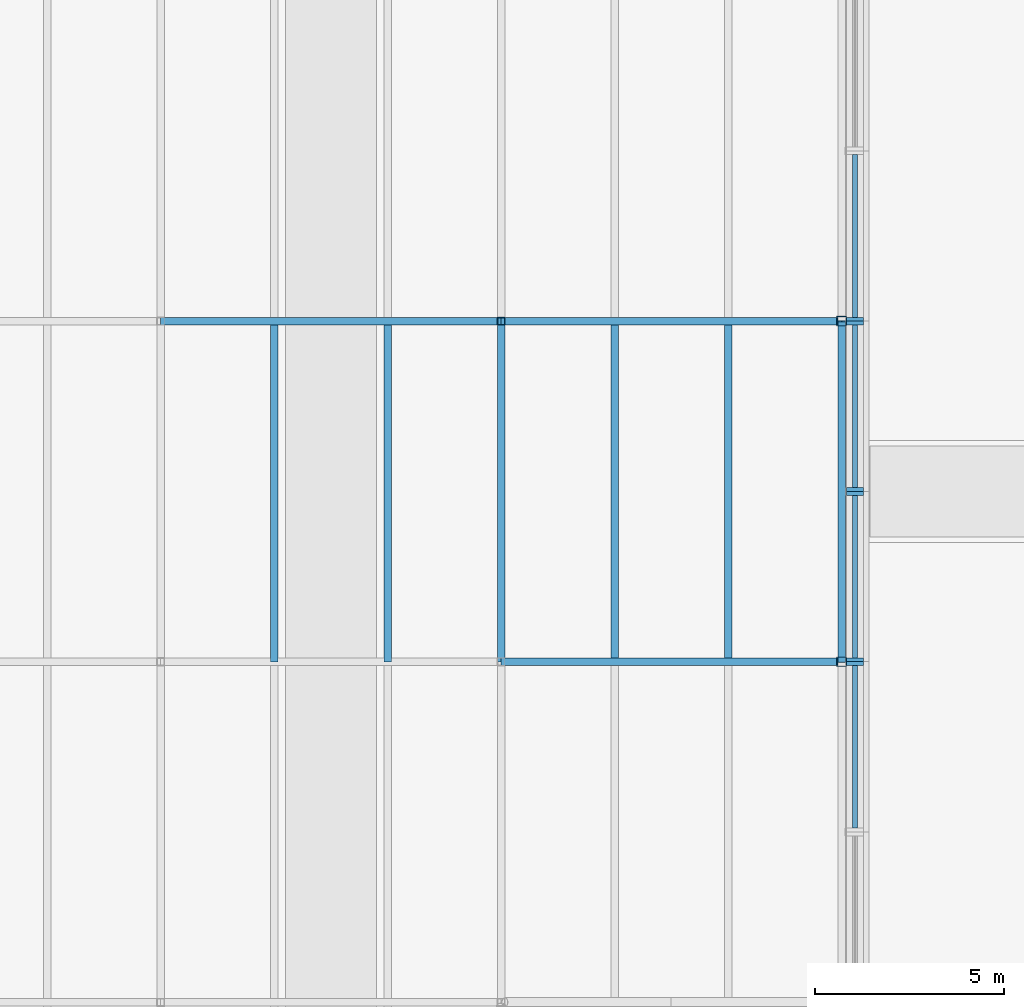
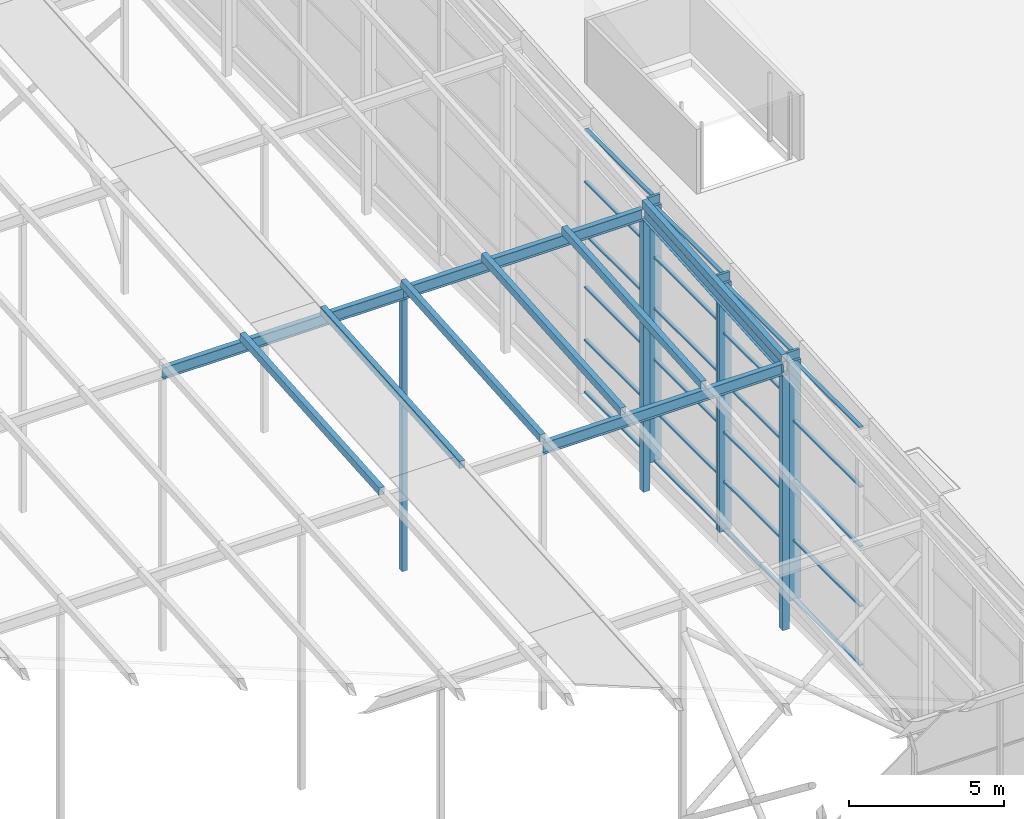
# One storey, part 22 of 84: 38 members, 4 beams, 4 elements without a shape of their own.
"""IFC4 building model written with IfcOpenShell, lengths in metres."""

from ifc_helpers import new_model, si_unit, direction, frame, origin, origin_2d, place, context, subcontext, project, spatial, rectangle, hollow_rectangle, i_section, extrude, material, material_profile, profile_set, type_object, element, aggregate, save


model = new_model("IFC4")

# Units and contexts
model_context = context("Model", 3, precision=1e-05, world=origin(), true_north=direction((0.0, 1.0)))
body_context = subcontext(model_context, "Body", "Model", "MODEL_VIEW")
ifc_project = project(units=[si_unit("LENGTHUNIT", "METRE"), si_unit("AREAUNIT", "SQUARE_METRE"), si_unit("VOLUMEUNIT", "CUBIC_METRE"), si_unit("PLANEANGLEUNIT", "RADIAN"), si_unit("MASSUNIT", "GRAM", prefix="KILO")], contexts=[model_context])

# Site, building, storey
site_placement = place(None, origin())
site = spatial("IfcSite", under=ifc_project, at=site_placement, CompositionType="ELEMENT")
building_placement = place(site_placement, origin())
building = spatial("IfcBuilding", under=site, at=building_placement, Name="Silverbay Arena", CompositionType="ELEMENT")
storey_placement = place(building_placement, frame((0.0, 0.0, 47.10009765625)))
storey = spatial("IfcBuildingStorey", under=building, at=storey_placement, Name="ROOF", CompositionType="ELEMENT", Elevation=47.10009765625)

# Curtain wall, member
ifc_material_1 = material(Name="Aluminium framed glazing", Category="aluminium")
curtain_wall_type_1 = type_object("IfcCurtainWallType", Name="Curtain wall crown 4500 x 9425", PredefinedType="NOTDEFINED", material=ifc_material_1)
curtain_wall_1_placement = place(storey_placement, origin())
curtain_wall_1 = element("IfcCurtainWall", 1, at=curtain_wall_1_placement, inside=storey, type_object=curtain_wall_type_1, Name="ROOF CROWN CURTAIN WALL east bay 05", PredefinedType="NOTDEFINED")
ifc_material_2 = material(Name="Aluminium", Category="aluminium")
ifc_material_profile_1 = material_profile(ifc_material_2, rectangle(XDim=0.449951171875, YDim=0.10009765625, at=origin_2d()), Name="Mullion 100 x 450")
ifc_profile_set_1 = profile_set([ifc_material_profile_1], Name="Aluminium")
member_type_1 = type_object("IfcMemberType", Name="Mullion 100 x 450", PredefinedType="MULLION", material=ifc_profile_set_1)
placement = place(building_placement, frame((0.0, 0.0, 33.5)))
member_1_placement = place(placement, frame((180.35009765625, 44.949951171875, 14.050048828125), z_axis=(0.0, 0.0, 1.0), x_axis=(-1.0, 0.0, 0.0)))
member_1 = element("IfcMember", 2, at=member_1_placement, type_object=member_type_1, Name="CW67 mullion 2", PredefinedType="MULLION", context=body_context, shape_type="SweptSolid", body=[
    extrude(rectangle(XDim=0.449951171875, YDim=0.10009765625, at=origin_2d()), origin(), (0.0, 0.0, 1.0), 9.425048828125),
])

# Curtain wall, members
ifc_material_3 = material(Name="Aluminium framed glazing", Category="aluminium")
curtain_wall_type_2 = type_object("IfcCurtainWallType", Name="Curtain wall crown 4500 x 9750", PredefinedType="NOTDEFINED", material=ifc_material_3)
curtain_wall_2_placement = place(storey_placement, origin())
curtain_wall_2 = element("IfcCurtainWall", 3, at=curtain_wall_2_placement, inside=storey, type_object=curtain_wall_type_2, Name="ROOF CROWN CURTAIN WALL east bay 06", PredefinedType="NOTDEFINED")
member_2_placement = place(placement, frame((180.35009765625, 45.050048828125, 14.050048828125), z_axis=(0.0, 0.0, 1.0), x_axis=(-1.0, 0.0, 0.0)))
member_2 = element("IfcMember", 4, at=member_2_placement, type_object=member_type_1, Name="CW68 mullion 1", PredefinedType="MULLION", context=body_context, shape_type="SweptSolid", body=[
    extrude(rectangle(XDim=0.449951171875, YDim=0.10009765625, at=origin_2d()), origin(), (0.0, 0.0, 1.0), 9.75),
])
member_3_placement = place(placement, frame((180.35009765625, 49.449951171875, 14.050048828125), z_axis=(0.0, 0.0, 1.0), x_axis=(-1.0, 0.0, 0.0)))
member_3 = element("IfcMember", 5, at=member_3_placement, type_object=member_type_1, Name="CW68 mullion 2", PredefinedType="MULLION", context=body_context, shape_type="SweptSolid", body=[
    extrude(rectangle(XDim=0.449951171875, YDim=0.10009765625, at=origin_2d()), origin(), (0.0, 0.0, 1.0), 9.75),
])

ifc_material_4 = material(Name="Aluminium framed glazing", Category="aluminium")
curtain_wall_type_3 = type_object("IfcCurtainWallType", Name="Curtain wall crown 4500 x 10075", PredefinedType="NOTDEFINED", material=ifc_material_4)
curtain_wall_3_placement = place(storey_placement, origin())
curtain_wall_3 = element("IfcCurtainWall", 6, at=curtain_wall_3_placement, inside=storey, type_object=curtain_wall_type_3, Name="ROOF CROWN CURTAIN WALL east bay 07", PredefinedType="NOTDEFINED")
member_4_placement = place(placement, frame((180.35009765625, 49.550048828125, 14.050048828125), z_axis=(0.0, 0.0, 1.0), x_axis=(-1.0, 0.0, 0.0)))
member_4 = element("IfcMember", 7, at=member_4_placement, type_object=member_type_1, Name="CW69 mullion 1", PredefinedType="MULLION", context=body_context, shape_type="SweptSolid", body=[
    extrude(rectangle(XDim=0.449951171875, YDim=0.10009765625, at=origin_2d()), origin(), (0.0, 0.0, 1.0), 10.074951171875),
])
member_5_placement = place(placement, frame((180.35009765625, 53.949951171875, 14.050048828125), z_axis=(0.0, 0.0, 1.0), x_axis=(-1.0, 0.0, 0.0)))
member_5 = element("IfcMember", 8, at=member_5_placement, type_object=member_type_1, Name="CW69 mullion 2", PredefinedType="MULLION", context=body_context, shape_type="SweptSolid", body=[
    extrude(rectangle(XDim=0.449951171875, YDim=0.10009765625, at=origin_2d()), origin(), (0.0, 0.0, 1.0), 10.074951171875),
])

# Curtain wall, member
ifc_material_5 = material(Name="Aluminium framed glazing", Category="aluminium")
curtain_wall_type_4 = type_object("IfcCurtainWallType", Name="Curtain wall crown 4500 x 10400", PredefinedType="NOTDEFINED", material=ifc_material_5)
curtain_wall_4_placement = place(storey_placement, origin())
curtain_wall_4 = element("IfcCurtainWall", 9, at=curtain_wall_4_placement, inside=storey, type_object=curtain_wall_type_4, Name="ROOF CROWN CURTAIN WALL east bay 08", PredefinedType="NOTDEFINED")
member_6_placement = place(placement, frame((180.35009765625, 54.050048828125, 14.050048828125), z_axis=(0.0, 0.0, 1.0), x_axis=(-1.0, 0.0, 0.0)))
member_6 = element("IfcMember", 10, at=member_6_placement, type_object=member_type_1, Name="CW70 mullion 1", PredefinedType="MULLION", context=body_context, shape_type="SweptSolid", body=[
    extrude(rectangle(XDim=0.449951171875, YDim=0.10009765625, at=origin_2d()), origin(), (0.0, 0.0, 1.0), 10.39990234375),
])

# Members
ifc_material_6 = material(Name="Steel S355", Category="steel")
ifc_material_profile_2 = material_profile(ifc_material_6, hollow_rectangle(XDim=0.199951171875, YDim=0.300048828125, WallThickness=0.00634765625, at=origin_2d()), Name="RHS 300x200x6.3")
ifc_profile_set_2 = profile_set([ifc_material_profile_2], Name="Steel S355")
member_type_2 = type_object("IfcMemberType", Name="Purlin RHS 300x200x6.3", PredefinedType="PURLIN", material=ifc_profile_set_2)
for number, where, z_axis, x_axis, name in (
    (11, (165.0, 45.0, 10.049560546875), (0.0, 0.997402911363, 0.072023832195), (-1.0, 0.0, 0.0), "ROOF PURLIN crown line 29 bay 03"),
    (12, (168.0, 45.0, 10.049560546875), (0.0, 0.997402911363, 0.072023832195), (-1.0, 0.0, 0.0), "ROOF PURLIN crown line 30 bay 03"),
    (13, (171.0, 45.0, 10.049560546875), (0.0, 0.997402911363, 0.072023832195), (-1.0, 0.0, 0.0), "ROOF PURLIN crown line 31 bay 03"),
    (14, (174.0, 45.0, 10.049560546875), (0.0, 0.997402911363, 0.072023832195), (-1.0, 0.0, 0.0), "ROOF PURLIN crown line 32 bay 03"),
    (15, (177.0, 45.0, 10.049560546875), (0.0, 0.997402911363, 0.072023832195), (-1.0, 0.0, 0.0), "ROOF PURLIN crown line 33 bay 03"),
):
    element("IfcMember", number, at=place(storey_placement, frame(where, z_axis=z_axis, x_axis=x_axis)), inside=storey, type_object=member_type_2, Name=name, PredefinedType="PURLIN", context=body_context, shape_type="SweptSolid", body=[
        extrude(hollow_rectangle(XDim=0.199951171875, YDim=0.300048828125, WallThickness=0.00634765625, at=origin_2d()), origin(), (0.0, 0.0, 1.0), 9.0234375),
    ])
ifc_material_7 = material(Name="Steel S355", Category="steel")
ifc_material_profile_3 = material_profile(ifc_material_7, hollow_rectangle(XDim=0.199951171875, YDim=0.300048828125, WallThickness=0.008056640625, at=origin_2d()), Name="RHS 300x200x8")
ifc_profile_set_3 = profile_set([ifc_material_profile_3], Name="Steel S355")
member_type_3 = type_object("IfcMemberType", Name="Purlin RHS 300x200x8", PredefinedType="PURLIN", material=ifc_profile_set_3)
member_7_placement = place(storey_placement, frame((180.0, 45.0, 10.049560546875), z_axis=(0.0, 0.997402911363, 0.072023832195), x_axis=(-1.0, 0.0, 0.0)))
element("IfcMember", 16, at=member_7_placement, inside=storey, type_object=member_type_3, Name="ROOF PURLIN crown line 34 bay 03", PredefinedType="PURLIN", context=body_context, shape_type="SweptSolid", body=[
    extrude(hollow_rectangle(XDim=0.199951171875, YDim=0.300048828125, WallThickness=0.008056640625, at=origin_2d()), origin(), (0.0, 0.0, 1.0), 9.0234375),
])

# Beams
ifc_material_8 = material(Name="Steel S355", Category="steel")
ifc_material_profile_4 = material_profile(ifc_material_8, i_section(OverallWidth=0.18994140625, OverallDepth=0.453369140625, WebThickness=0.008544921875, FlangeThickness=0.0126953125, at=origin_2d()), Name="UB 457x191x67")
ifc_profile_set_4 = profile_set([ifc_material_profile_4], Name="Steel S355")
beam_type = type_object("IfcBeamType", Name="Ring beam UB 457x191x67", PredefinedType="BEAM", material=ifc_profile_set_4)
beam_1_placement = place(storey_placement, frame((171.0, 45.0, 9.67236328125), z_axis=(1.0, 0.0, 0.0), x_axis=(0.0, 1.0, 0.0)))
element("IfcBeam", 17, at=beam_1_placement, inside=storey, type_object=beam_type, Name="RING BEAM crown row 03 20-21", PredefinedType="BEAM", context=body_context, shape_type="SweptSolid", body=[
    extrude(i_section(OverallWidth=0.18994140625, OverallDepth=0.453369140625, WebThickness=0.008544921875, FlangeThickness=0.0126953125, at=origin_2d()), origin(), (0.0, 0.0, 1.0), 8.905029296875),
])
beam_2_placement = place(storey_placement, frame((162.0, 54.0, 10.322509765625), z_axis=(1.0, 0.0, 0.0), x_axis=(0.0, 1.0, 0.0)))
element("IfcBeam", 18, at=beam_2_placement, inside=storey, type_object=beam_type, Name="RING BEAM crown row 04 19-20", PredefinedType="BEAM", context=body_context, shape_type="SweptSolid", body=[
    extrude(i_section(OverallWidth=0.18994140625, OverallDepth=0.453369140625, WebThickness=0.008544921875, FlangeThickness=0.0126953125, at=origin_2d()), origin(), (0.0, 0.0, 1.0), 9.0),
])
beam_3_placement = place(storey_placement, frame((171.0, 54.0, 10.322509765625), z_axis=(1.0, 0.0, 0.0), x_axis=(0.0, 1.0, 0.0)))
element("IfcBeam", 19, at=beam_3_placement, inside=storey, type_object=beam_type, Name="RING BEAM crown row 04 20-21", PredefinedType="BEAM", context=body_context, shape_type="SweptSolid", body=[
    extrude(i_section(OverallWidth=0.18994140625, OverallDepth=0.453369140625, WebThickness=0.008544921875, FlangeThickness=0.0126953125, at=origin_2d()), origin(), (0.0, 0.0, 1.0), 8.905029296875),
])
beam_4_placement = place(storey_placement, frame((180.0, 45.0, 9.67236328125), z_axis=(0.0, 0.997400967367, 0.07205074805), x_axis=(-1.0, 0.0, 0.0)))
element("IfcBeam", 20, at=beam_4_placement, inside=storey, type_object=beam_type, Name="RING BEAM crown east edge 03", PredefinedType="BEAM", context=body_context, shape_type="SweptSolid", body=[
    extrude(i_section(OverallWidth=0.18994140625, OverallDepth=0.453369140625, WebThickness=0.008544921875, FlangeThickness=0.0126953125, at=origin_2d()), origin(), (0.0, 0.0, 1.0), 9.0234375),
])

# Members
ifc_material_9 = material(Name="Steel S355", Category="steel")
ifc_material_profile_5 = material_profile(ifc_material_9, hollow_rectangle(XDim=0.199951171875, YDim=0.199951171875, WallThickness=0.008056640625, at=origin_2d()), Name="SHS 200x200x8")
ifc_profile_set_5 = profile_set([ifc_material_profile_5], Name="Steel S355")
member_type_4 = type_object("IfcMemberType", Name="Roof post SHS 200x200x8", PredefinedType="POST", material=ifc_profile_set_5)
member_8_placement = place(storey_placement, frame((171.0, 54.0, -0.60009765625), z_axis=(0.0, 0.0, 1.0), x_axis=(1.0, 0.0, 0.0)))
element("IfcMember", 21, at=member_8_placement, inside=storey, type_object=member_type_4, Name="ROOF CROWN POST 20 row 04", PredefinedType="POST", context=body_context, shape_type="SweptSolid", body=[
    extrude(hollow_rectangle(XDim=0.199951171875, YDim=0.199951171875, WallThickness=0.008056640625, at=origin_2d()), origin(), (0.0, 0.0, 1.0), 10.69580078125),
])
ifc_material_10 = material(Name="Steel S355", Category="steel")
ifc_material_profile_6 = material_profile(ifc_material_10, hollow_rectangle(XDim=0.25, YDim=0.25, WallThickness=0.008056640625, at=origin_2d()), Name="SHS 250x250x8")
ifc_profile_set_6 = profile_set([ifc_material_profile_6], Name="Steel S355")
member_type_5 = type_object("IfcMemberType", Name="Roof post SHS 250x250x8", PredefinedType="POST", material=ifc_profile_set_6)
member_9_placement = place(storey_placement, frame((180.0, 45.0, -0.60009765625), z_axis=(0.0, 0.0, 1.0), x_axis=(1.0, 0.0, 0.0)))
element("IfcMember", 22, at=member_9_placement, inside=storey, type_object=member_type_5, Name="ROOF CROWN POST 21 row 03", PredefinedType="POST", context=body_context, shape_type="SweptSolid", body=[
    extrude(hollow_rectangle(XDim=0.25, YDim=0.25, WallThickness=0.008056640625, at=origin_2d()), origin(), (0.0, 0.0, 1.0), 10.0458984375),
])
member_10_placement = place(storey_placement, frame((180.0, 54.0, -0.60009765625), z_axis=(0.0, 0.0, 1.0), x_axis=(1.0, 0.0, 0.0)))
element("IfcMember", 23, at=member_10_placement, inside=storey, type_object=member_type_5, Name="ROOF CROWN POST 21 row 04", PredefinedType="POST", context=body_context, shape_type="SweptSolid", body=[
    extrude(hollow_rectangle(XDim=0.25, YDim=0.25, WallThickness=0.008056640625, at=origin_2d()), origin(), (0.0, 0.0, 1.0), 10.69580078125),
])

# Member
ifc_material_11 = material(Name="Aluminium", Category="aluminium")
ifc_material_profile_7 = material_profile(ifc_material_11, rectangle(XDim=0.139892578125, YDim=0.06005859375, at=origin_2d()), Name="Transom 60 x 140")
ifc_profile_set_7 = profile_set([ifc_material_profile_7], Name="Aluminium")
member_type_6 = type_object("IfcMemberType", Name="Transom 60 x 140", PredefinedType="USERDEFINED", material=ifc_profile_set_7)
member_11_placement = place(placement, frame((180.35009765625, 40.60009765625, 14.080078125), z_axis=(0.0, 1.0, 0.0), x_axis=(-1.0, 0.0, 0.0)))
member_11 = element("IfcMember", 24, at=member_11_placement, type_object=member_type_6, Name="CW67 transom 1.1", ObjectType="TRANSOM", PredefinedType="USERDEFINED", context=body_context, shape_type="SweptSolid", body=[
    extrude(rectangle(XDim=0.139892578125, YDim=0.06005859375, at=origin_2d()), origin(), (0.0, 0.0, 1.0), 4.2998046875),
])

member_12_placement = place(placement, frame((180.35009765625, 40.60009765625, 16.40625), z_axis=(0.0, 1.0, 0.0), x_axis=(-1.0, 0.0, 0.0)))
member_12 = element("IfcMember", 25, at=member_12_placement, type_object=member_type_6, Name="CW67 transom 1.2", ObjectType="TRANSOM", PredefinedType="USERDEFINED", context=body_context, shape_type="SweptSolid", body=[
    extrude(rectangle(XDim=0.139892578125, YDim=0.06005859375, at=origin_2d()), origin(), (0.0, 0.0, 1.0), 4.2998046875),
])

member_13_placement = place(placement, frame((180.35009765625, 40.60009765625, 18.762451171875), z_axis=(0.0, 1.0, 0.0), x_axis=(-1.0, 0.0, 0.0)))
member_13 = element("IfcMember", 26, at=member_13_placement, type_object=member_type_6, Name="CW67 transom 1.3", ObjectType="TRANSOM", PredefinedType="USERDEFINED", context=body_context, shape_type="SweptSolid", body=[
    extrude(rectangle(XDim=0.139892578125, YDim=0.06005859375, at=origin_2d()), origin(), (0.0, 0.0, 1.0), 4.2998046875),
])

member_14_placement = place(placement, frame((180.35009765625, 40.60009765625, 21.11865234375), z_axis=(0.0, 1.0, 0.0), x_axis=(-1.0, 0.0, 0.0)))
member_14 = element("IfcMember", 27, at=member_14_placement, type_object=member_type_6, Name="CW67 transom 1.4", ObjectType="TRANSOM", PredefinedType="USERDEFINED", context=body_context, shape_type="SweptSolid", body=[
    extrude(rectangle(XDim=0.139892578125, YDim=0.06005859375, at=origin_2d()), origin(), (0.0, 0.0, 1.0), 4.2998046875),
])

member_15_placement = place(placement, frame((180.35009765625, 40.60009765625, 23.445068359375), z_axis=(0.0, 1.0, 0.0), x_axis=(-1.0, 0.0, 0.0)))
member_15 = element("IfcMember", 28, at=member_15_placement, type_object=member_type_6, Name="CW67 transom 1.5", ObjectType="TRANSOM", PredefinedType="USERDEFINED", context=body_context, shape_type="SweptSolid", body=[
    extrude(rectangle(XDim=0.139892578125, YDim=0.06005859375, at=origin_2d()), origin(), (0.0, 0.0, 1.0), 4.2998046875),
])

aggregate(curtain_wall_1, [member_1, member_11, member_12, member_13, member_14, member_15])

member_16_placement = place(placement, frame((180.35009765625, 45.10009765625, 14.080078125), z_axis=(0.0, 1.0, 0.0), x_axis=(-1.0, 0.0, 0.0)))
member_16 = element("IfcMember", 29, at=member_16_placement, type_object=member_type_6, Name="CW68 transom 1.1", ObjectType="TRANSOM", PredefinedType="USERDEFINED", context=body_context, shape_type="SweptSolid", body=[
    extrude(rectangle(XDim=0.139892578125, YDim=0.06005859375, at=origin_2d()), origin(), (0.0, 0.0, 1.0), 4.2998046875),
])

member_17_placement = place(placement, frame((180.35009765625, 45.10009765625, 16.0), z_axis=(0.0, 1.0, 0.0), x_axis=(-1.0, 0.0, 0.0)))
member_17 = element("IfcMember", 30, at=member_17_placement, type_object=member_type_6, Name="CW68 transom 1.2", ObjectType="TRANSOM", PredefinedType="USERDEFINED", context=body_context, shape_type="SweptSolid", body=[
    extrude(rectangle(XDim=0.139892578125, YDim=0.06005859375, at=origin_2d()), origin(), (0.0, 0.0, 1.0), 4.2998046875),
])

member_18_placement = place(placement, frame((180.35009765625, 45.10009765625, 17.949951171875), z_axis=(0.0, 1.0, 0.0), x_axis=(-1.0, 0.0, 0.0)))
member_18 = element("IfcMember", 31, at=member_18_placement, type_object=member_type_6, Name="CW68 transom 1.3", ObjectType="TRANSOM", PredefinedType="USERDEFINED", context=body_context, shape_type="SweptSolid", body=[
    extrude(rectangle(XDim=0.139892578125, YDim=0.06005859375, at=origin_2d()), origin(), (0.0, 0.0, 1.0), 4.2998046875),
])

member_19_placement = place(placement, frame((180.35009765625, 45.10009765625, 19.89990234375), z_axis=(0.0, 1.0, 0.0), x_axis=(-1.0, 0.0, 0.0)))
member_19 = element("IfcMember", 32, at=member_19_placement, type_object=member_type_6, Name="CW68 transom 1.4", ObjectType="TRANSOM", PredefinedType="USERDEFINED", context=body_context, shape_type="SweptSolid", body=[
    extrude(rectangle(XDim=0.139892578125, YDim=0.06005859375, at=origin_2d()), origin(), (0.0, 0.0, 1.0), 4.2998046875),
])

member_20_placement = place(placement, frame((180.35009765625, 45.10009765625, 21.85009765625), z_axis=(0.0, 1.0, 0.0), x_axis=(-1.0, 0.0, 0.0)))
member_20 = element("IfcMember", 33, at=member_20_placement, type_object=member_type_6, Name="CW68 transom 1.5", ObjectType="TRANSOM", PredefinedType="USERDEFINED", context=body_context, shape_type="SweptSolid", body=[
    extrude(rectangle(XDim=0.139892578125, YDim=0.06005859375, at=origin_2d()), origin(), (0.0, 0.0, 1.0), 4.2998046875),
])

member_21_placement = place(placement, frame((180.35009765625, 45.10009765625, 23.77001953125), z_axis=(0.0, 1.0, 0.0), x_axis=(-1.0, 0.0, 0.0)))
member_21 = element("IfcMember", 34, at=member_21_placement, type_object=member_type_6, Name="CW68 transom 1.6", ObjectType="TRANSOM", PredefinedType="USERDEFINED", context=body_context, shape_type="SweptSolid", body=[
    extrude(rectangle(XDim=0.139892578125, YDim=0.06005859375, at=origin_2d()), origin(), (0.0, 0.0, 1.0), 4.2998046875),
])

aggregate(curtain_wall_2, [member_2, member_3, member_16, member_17, member_18, member_19, member_20, member_21])

member_22_placement = place(placement, frame((180.35009765625, 49.60009765625, 14.080078125), z_axis=(0.0, 1.0, 0.0), x_axis=(-1.0, 0.0, 0.0)))
member_22 = element("IfcMember", 35, at=member_22_placement, type_object=member_type_6, Name="CW69 transom 1.1", ObjectType="TRANSOM", PredefinedType="USERDEFINED", context=body_context, shape_type="SweptSolid", body=[
    extrude(rectangle(XDim=0.139892578125, YDim=0.06005859375, at=origin_2d()), origin(), (0.0, 0.0, 1.0), 4.2998046875),
])

member_23_placement = place(placement, frame((180.35009765625, 49.60009765625, 16.06494140625), z_axis=(0.0, 1.0, 0.0), x_axis=(-1.0, 0.0, 0.0)))
member_23 = element("IfcMember", 36, at=member_23_placement, type_object=member_type_6, Name="CW69 transom 1.2", ObjectType="TRANSOM", PredefinedType="USERDEFINED", context=body_context, shape_type="SweptSolid", body=[
    extrude(rectangle(XDim=0.139892578125, YDim=0.06005859375, at=origin_2d()), origin(), (0.0, 0.0, 1.0), 4.2998046875),
])

member_24_placement = place(placement, frame((180.35009765625, 49.60009765625, 18.080078125), z_axis=(0.0, 1.0, 0.0), x_axis=(-1.0, 0.0, 0.0)))
member_24 = element("IfcMember", 37, at=member_24_placement, type_object=member_type_6, Name="CW69 transom 1.3", ObjectType="TRANSOM", PredefinedType="USERDEFINED", context=body_context, shape_type="SweptSolid", body=[
    extrude(rectangle(XDim=0.139892578125, YDim=0.06005859375, at=origin_2d()), origin(), (0.0, 0.0, 1.0), 4.2998046875),
])

member_25_placement = place(placement, frame((180.35009765625, 49.60009765625, 20.094970703125), z_axis=(0.0, 1.0, 0.0), x_axis=(-1.0, 0.0, 0.0)))
member_25 = element("IfcMember", 38, at=member_25_placement, type_object=member_type_6, Name="CW69 transom 1.4", ObjectType="TRANSOM", PredefinedType="USERDEFINED", context=body_context, shape_type="SweptSolid", body=[
    extrude(rectangle(XDim=0.139892578125, YDim=0.06005859375, at=origin_2d()), origin(), (0.0, 0.0, 1.0), 4.2998046875),
])

member_26_placement = place(placement, frame((180.35009765625, 49.60009765625, 22.110107421875), z_axis=(0.0, 1.0, 0.0), x_axis=(-1.0, 0.0, 0.0)))
member_26 = element("IfcMember", 39, at=member_26_placement, type_object=member_type_6, Name="CW69 transom 1.5", ObjectType="TRANSOM", PredefinedType="USERDEFINED", context=body_context, shape_type="SweptSolid", body=[
    extrude(rectangle(XDim=0.139892578125, YDim=0.06005859375, at=origin_2d()), origin(), (0.0, 0.0, 1.0), 4.2998046875),
])

member_27_placement = place(placement, frame((180.35009765625, 49.60009765625, 24.094970703125), z_axis=(0.0, 1.0, 0.0), x_axis=(-1.0, 0.0, 0.0)))
member_27 = element("IfcMember", 40, at=member_27_placement, type_object=member_type_6, Name="CW69 transom 1.6", ObjectType="TRANSOM", PredefinedType="USERDEFINED", context=body_context, shape_type="SweptSolid", body=[
    extrude(rectangle(XDim=0.139892578125, YDim=0.06005859375, at=origin_2d()), origin(), (0.0, 0.0, 1.0), 4.2998046875),
])

aggregate(curtain_wall_3, [member_4, member_5, member_22, member_23, member_24, member_25, member_26, member_27])

member_28_placement = place(placement, frame((180.35009765625, 54.10009765625, 14.080078125), z_axis=(0.0, 1.0, 0.0), x_axis=(-1.0, 0.0, 0.0)))
member_28 = element("IfcMember", 41, at=member_28_placement, type_object=member_type_6, Name="CW70 transom 1.1", ObjectType="TRANSOM", PredefinedType="USERDEFINED", context=body_context, shape_type="SweptSolid", body=[
    extrude(rectangle(XDim=0.139892578125, YDim=0.06005859375, at=origin_2d()), origin(), (0.0, 0.0, 1.0), 4.2998046875),
])

member_29_placement = place(placement, frame((180.35009765625, 54.10009765625, 16.1298828125), z_axis=(0.0, 1.0, 0.0), x_axis=(-1.0, 0.0, 0.0)))
member_29 = element("IfcMember", 42, at=member_29_placement, type_object=member_type_6, Name="CW70 transom 1.2", ObjectType="TRANSOM", PredefinedType="USERDEFINED", context=body_context, shape_type="SweptSolid", body=[
    extrude(rectangle(XDim=0.139892578125, YDim=0.06005859375, at=origin_2d()), origin(), (0.0, 0.0, 1.0), 4.2998046875),
])

member_30_placement = place(placement, frame((180.35009765625, 54.10009765625, 18.2099609375), z_axis=(0.0, 1.0, 0.0), x_axis=(-1.0, 0.0, 0.0)))
member_30 = element("IfcMember", 43, at=member_30_placement, type_object=member_type_6, Name="CW70 transom 1.3", ObjectType="TRANSOM", PredefinedType="USERDEFINED", context=body_context, shape_type="SweptSolid", body=[
    extrude(rectangle(XDim=0.139892578125, YDim=0.06005859375, at=origin_2d()), origin(), (0.0, 0.0, 1.0), 4.2998046875),
])

member_31_placement = place(placement, frame((180.35009765625, 54.10009765625, 20.2900390625), z_axis=(0.0, 1.0, 0.0), x_axis=(-1.0, 0.0, 0.0)))
member_31 = element("IfcMember", 44, at=member_31_placement, type_object=member_type_6, Name="CW70 transom 1.4", ObjectType="TRANSOM", PredefinedType="USERDEFINED", context=body_context, shape_type="SweptSolid", body=[
    extrude(rectangle(XDim=0.139892578125, YDim=0.06005859375, at=origin_2d()), origin(), (0.0, 0.0, 1.0), 4.2998046875),
])

member_32_placement = place(placement, frame((180.35009765625, 54.10009765625, 22.3701171875), z_axis=(0.0, 1.0, 0.0), x_axis=(-1.0, 0.0, 0.0)))
member_32 = element("IfcMember", 45, at=member_32_placement, type_object=member_type_6, Name="CW70 transom 1.5", ObjectType="TRANSOM", PredefinedType="USERDEFINED", context=body_context, shape_type="SweptSolid", body=[
    extrude(rectangle(XDim=0.139892578125, YDim=0.06005859375, at=origin_2d()), origin(), (0.0, 0.0, 1.0), 4.2998046875),
])

member_33_placement = place(placement, frame((180.35009765625, 54.10009765625, 24.419921875), z_axis=(0.0, 1.0, 0.0), x_axis=(-1.0, 0.0, 0.0)))
member_33 = element("IfcMember", 46, at=member_33_placement, type_object=member_type_6, Name="CW70 transom 1.6", ObjectType="TRANSOM", PredefinedType="USERDEFINED", context=body_context, shape_type="SweptSolid", body=[
    extrude(rectangle(XDim=0.139892578125, YDim=0.06005859375, at=origin_2d()), origin(), (0.0, 0.0, 1.0), 4.2998046875),
])

aggregate(curtain_wall_4, [member_6, member_28, member_29, member_30, member_31, member_32, member_33])

save(model, "model.ifc")
